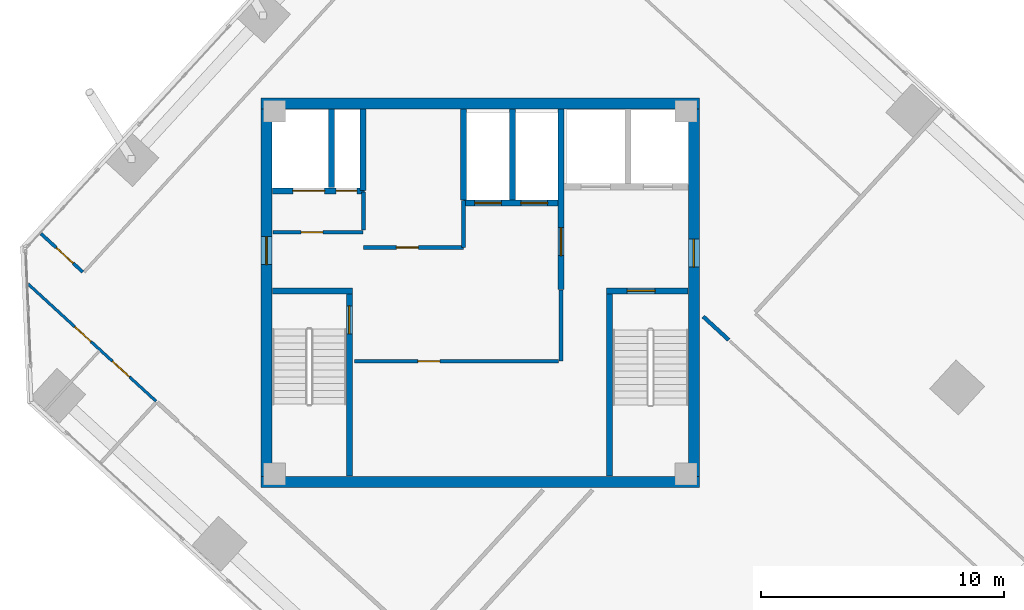
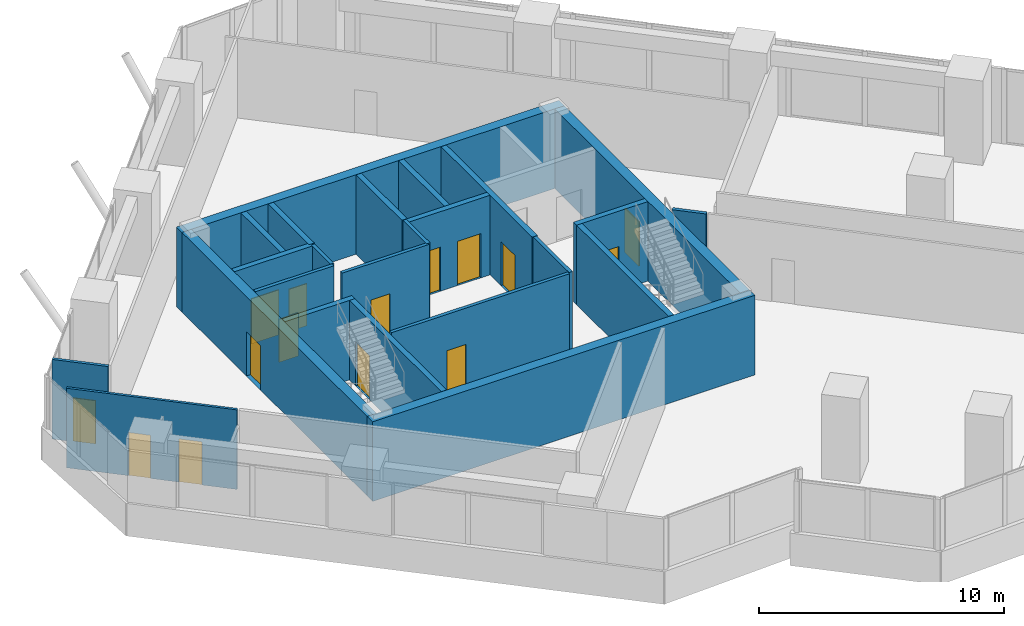
# One storey, part 13 of 18: 24 walls, 15 doors, 15 openings.
"""IFC4 building model written with IfcOpenShell, lengths in metres."""

from ifc_helpers import new_model, si_unit, direction, frame, frame_2d, origin, place, context, subcontext, project, spatial, rectangle, extrude, source, transform, mapped, material, layer, layer_set, type_object, element, fill, save


model = new_model("IFC4")

# Units and contexts
model_context = context("Model", 3, precision=1e-05, world=origin(), true_north=direction((0.0, 1.0)))
body_context = subcontext(model_context, "Body", "Model", "MODEL_VIEW")
ifc_project = project(units=[si_unit("LENGTHUNIT", "METRE"), si_unit("AREAUNIT", "SQUARE_METRE"), si_unit("VOLUMEUNIT", "CUBIC_METRE"), si_unit("PLANEANGLEUNIT", "RADIAN"), si_unit("MASSUNIT", "GRAM", prefix="KILO")], contexts=[model_context])

# Site, building, storey
site_placement = place(None, origin())
site = spatial("IfcSite", under=ifc_project, at=site_placement, CompositionType="ELEMENT")
building_placement = place(site_placement, origin())
building = spatial("IfcBuilding", under=site, at=building_placement, Name="Torre Montelarca", CompositionType="ELEMENT")
storey_placement = place(building_placement, frame((0.0, 0.0, 237.39990234375)))
storey = spatial("IfcBuildingStorey", under=building, at=storey_placement, Name="L53", CompositionType="ELEMENT", Elevation=237.39990234375)

# Wall, opening, door
ifc_material_1 = material(Name="Concrete C40/50", Category="concrete")
ifc_layer_1 = layer(ifc_material_1, 0.25, Name="Concrete C40/50", Category="concrete")
ifc_layer_set_1 = layer_set([ifc_layer_1], Name="Concrete C40/50")
wall_type_1 = type_object("IfcWallType", Name="CW-SHAFT-250", PredefinedType="SHEAR", material=ifc_layer_set_1)
wall_1_placement = place(storey_placement, frame((12.625, 24.4599609375, 0.0), z_axis=(0.0, 0.0, 1.0), x_axis=(0.0, 1.0, 0.0)))
wall_1 = element("IfcWall", 1, at=wall_1_placement, inside=storey, type_object=wall_type_1, Name="L53 Core Shear Wall SH-ST1-E", PredefinedType="SHEAR", context=body_context, shape_type="SweptSolid", body=[
    extrude(rectangle(XDim=7.489990234375, YDim=0.25, at=frame_2d((3.7451171875, 0.0))), origin(), (0.0, 0.0, 1.0), 3.960205078125),
])
opening_1_placement = place(wall_1_placement, frame((5.85009765625, 0.0, 0.0)))
opening_1 = element("IfcOpeningElement", 2, at=opening_1_placement, cuts=wall_1, Name="Opening FD-ST1", PredefinedType="OPENING", context=body_context, shape_type="SweptSolid", body=[
    extrude(rectangle(XDim=1.14990234375, YDim=2.199951171875, at=frame_2d((0.574951171875, 1.10009765625))), frame((0.0, 0.135009765625, 0.0), z_axis=(0.0, -1.0, 0.0), x_axis=(1.0, 0.0, 0.0)), (0.0, 0.0, 1.0), 0.27001953125),
])
ifc_material_2 = material(Name="Galvanized steel fire door", Category="steel")
door_type_1 = type_object("IfcDoorType", Name="DR-STAIR-115", OperationType="NOTDEFINED", PredefinedType="DOOR", material=ifc_material_2)
shared_shape_1 = source(origin(), body_context, "Body", "SweptSolid", [
    extrude(rectangle(XDim=1.14990234375, YDim=2.199951171875, at=frame_2d((0.574951171875, 1.10009765625))), frame((0.0, 0.02490234375, 0.0), z_axis=(0.0, -1.0, 0.0), x_axis=(1.0, 0.0, 0.0)), (0.0, 0.0, 1.0), 0.050048828125),
])
door_1_placement = place(opening_1_placement, origin())
door_1 = element("IfcDoor", 3, at=door_1_placement, inside=storey, type_object=door_type_1, Name="L53 Exit Stair ST1 Fire Door", OperationType="SINGLE_SWING_RIGHT", OverallHeight=2.199951171875, OverallWidth=1.14990234375, PredefinedType="DOOR", context=body_context, shape_type="MappedRepresentation", body=[
    mapped(shared_shape_1, transform((0.0, 0.0, 0.0), scale=1.0)),
])
fill(opening_1, door_1)

# Walls
wall_2_placement = place(storey_placement, frame((9.4599609375, 32.074951171875, 0.0), z_axis=(0.0, 0.0, 1.0), x_axis=(1.0, 0.0, 0.0)))
element("IfcWall", 4, at=wall_2_placement, inside=storey, type_object=wall_type_1, Name="L53 Core Shear Wall SH-ST1-N", PredefinedType="SHEAR", context=body_context, shape_type="SweptSolid", body=[
    extrude(rectangle(XDim=3.2900390625, YDim=0.25, at=frame_2d((1.64501953125, 0.0))), origin(), (0.0, 0.0, 1.0), 3.960205078125),
])
wall_3_placement = place(storey_placement, frame((23.31494140625, 24.4599609375, 0.0), z_axis=(0.0, 0.0, 1.0), x_axis=(0.0, 1.0, 0.0)))
element("IfcWall", 5, at=wall_3_placement, inside=storey, type_object=wall_type_1, Name="L53 Core Shear Wall SH-ST2-W", PredefinedType="SHEAR", context=body_context, shape_type="SweptSolid", body=[
    extrude(rectangle(XDim=7.489990234375, YDim=0.25, at=frame_2d((3.7451171875, 0.0))), origin(), (0.0, 0.0, 1.0), 3.960205078125),
])

# Wall, opening, door
wall_4_placement = place(storey_placement, frame((23.18994140625, 32.074951171875, 0.0), z_axis=(0.0, 0.0, 1.0), x_axis=(1.0, 0.0, 0.0)))
wall_4 = element("IfcWall", 6, at=wall_4_placement, inside=storey, type_object=wall_type_1, Name="L53 Core Shear Wall SH-ST2-N", PredefinedType="SHEAR", context=body_context, shape_type="SweptSolid", body=[
    extrude(rectangle(XDim=3.35009765625, YDim=0.25, at=frame_2d((1.675048828125, 0.0))), origin(), (0.0, 0.0, 1.0), 3.960205078125),
])
opening_2_placement = place(wall_4_placement, frame((0.85009765625, 0.0, 0.0)))
opening_2 = element("IfcOpeningElement", 7, at=opening_2_placement, cuts=wall_4, Name="Opening FD-ST1", PredefinedType="OPENING", context=body_context, shape_type="SweptSolid", body=[
    extrude(rectangle(XDim=1.14990234375, YDim=2.199951171875, at=frame_2d((0.574951171875, 1.10009765625))), frame((0.0, 0.135009765625, 0.0), z_axis=(0.0, -1.0, 0.0), x_axis=(1.0, 0.0, 0.0)), (0.0, 0.0, 1.0), 0.27001953125),
])
door_2_placement = place(opening_2_placement, origin())
door_2 = element("IfcDoor", 8, at=door_2_placement, inside=storey, type_object=door_type_1, Name="L53 Exit Stair ST2 Fire Door", OperationType="SINGLE_SWING_RIGHT", OverallHeight=2.199951171875, OverallWidth=1.14990234375, PredefinedType="DOOR", context=body_context, shape_type="MappedRepresentation", body=[
    mapped(shared_shape_1, transform((0.0, 0.0, 0.0), scale=1.0)),
])
fill(opening_2, door_2)

wall_5_placement = place(storey_placement, frame((21.320068359375, 32.1201171875, 0.0), z_axis=(0.0, 0.0, 1.0), x_axis=(0.0, 1.0, 0.0)))
wall_5 = element("IfcWall", 9, at=wall_5_placement, inside=storey, type_object=wall_type_1, Name="L53 Core Shear Wall SH-FFL-W", PredefinedType="SHEAR", context=body_context, shape_type="SweptSolid", body=[
    extrude(rectangle(XDim=7.419921875, YDim=0.25, at=frame_2d((3.7099609375, 0.0))), origin(), (0.0, 0.0, 1.0), 3.960205078125),
])
opening_3_placement = place(wall_5_placement, frame((1.39990234375, 0.0, 0.0)))
opening_3 = element("IfcOpeningElement", 10, at=opening_3_placement, cuts=wall_5, Name="Opening FD-LB1", PredefinedType="OPENING", context=body_context, shape_type="SweptSolid", body=[
    extrude(rectangle(XDim=1.14990234375, YDim=2.199951171875, at=frame_2d((0.574951171875, 1.10009765625))), frame((0.0, 0.135009765625, 0.0), z_axis=(0.0, -1.0, 0.0), x_axis=(1.0, 0.0, 0.0)), (0.0, 0.0, 1.0), 0.27001953125),
])
ifc_material_3 = material(Name="Acoustic timber-veneered fire door", Category="wood")
door_type_2 = type_object("IfcDoorType", Name="DR-LOBBY-115", OperationType="NOTDEFINED", PredefinedType="DOOR", material=ifc_material_3)
shared_shape_2 = source(origin(), body_context, "Body", "SweptSolid", [
    extrude(rectangle(XDim=1.14990234375, YDim=2.199951171875, at=frame_2d((0.574951171875, 1.10009765625))), frame((0.0, 0.02490234375, 0.0), z_axis=(0.0, -1.0, 0.0), x_axis=(1.0, 0.0, 0.0)), (0.0, 0.0, 1.0), 0.050048828125),
])
door_3_placement = place(opening_3_placement, origin())
door_3 = element("IfcDoor", 11, at=door_3_placement, inside=storey, type_object=door_type_2, Name="L53 Lift Lobby to Firefighting Lobby Smoke Door", OperationType="SINGLE_SWING_LEFT", OverallHeight=2.199951171875, OverallWidth=1.14990234375, PredefinedType="DOOR", context=body_context, shape_type="MappedRepresentation", body=[
    mapped(shared_shape_2, transform((0.0, 0.0, 0.0), scale=1.0)),
])
fill(opening_3, door_3)

# Wall, openings, doors
wall_6_placement = place(storey_placement, frame((9.4599609375, 36.179931640625, 0.0), z_axis=(0.0, 0.0, 1.0), x_axis=(1.0, 0.0, 0.0)))
wall_6 = element("IfcWall", 12, at=wall_6_placement, inside=storey, type_object=wall_type_1, Name="L53 Core Shear Wall SH-SV1-S", PredefinedType="SHEAR", context=body_context, shape_type="SweptSolid", body=[
    extrude(rectangle(XDim=3.7900390625, YDim=0.25, at=frame_2d((1.89501953125, 0.0))), origin(), (0.0, 0.0, 1.0), 3.960205078125),
])
opening_4_placement = place(wall_6_placement, frame((2.6201171875, 0.0, 0.0)))
opening_4 = element("IfcOpeningElement", 13, at=opening_4_placement, cuts=wall_6, Name="Opening FD-085", PredefinedType="OPENING", context=body_context, shape_type="SweptSolid", body=[
    extrude(rectangle(XDim=0.85009765625, YDim=2.10009765625, at=frame_2d((0.425048828125, 1.050048828125))), frame((0.0, 0.135009765625, 0.0), z_axis=(0.0, -1.0, 0.0), x_axis=(1.0, 0.0, 0.0)), (0.0, 0.0, 1.0), 0.27001953125),
])
opening_5_placement = place(wall_6_placement, frame((0.85009765625, 0.0, 0.0)))
opening_5 = element("IfcOpeningElement", 14, at=opening_5_placement, cuts=wall_6, Name="Opening LD-130", PredefinedType="OPENING", context=body_context, shape_type="SweptSolid", body=[
    extrude(rectangle(XDim=1.300048828125, YDim=2.25, at=frame_2d((0.64990234375, 1.125))), frame((0.0, 0.135009765625, 0.0), z_axis=(0.0, -1.0, 0.0), x_axis=(1.0, 0.0, 0.0)), (0.0, 0.0, 1.0), 0.27001953125),
])
ifc_material_4 = material(Name="Steel riser access fire door", Category="steel")
door_type_3 = type_object("IfcDoorType", Name="DR-RISER-085", OperationType="NOTDEFINED", PredefinedType="DOOR", material=ifc_material_4)
shared_shape_3 = source(origin(), body_context, "Body", "SweptSolid", [
    extrude(rectangle(XDim=0.85009765625, YDim=2.10009765625, at=frame_2d((0.425048828125, 1.050048828125))), frame((0.0, 0.02490234375, 0.0), z_axis=(0.0, -1.0, 0.0), x_axis=(1.0, 0.0, 0.0)), (0.0, 0.0, 1.0), 0.050048828125),
])
door_4_placement = place(opening_4_placement, origin())
door_4 = element("IfcDoor", 15, at=door_4_placement, inside=storey, type_object=door_type_3, Name="L53 Electrical Riser Shaft Access Door", OperationType="SINGLE_SWING_RIGHT", OverallHeight=2.10009765625, OverallWidth=0.85009765625, PredefinedType="DOOR", context=body_context, shape_type="MappedRepresentation", body=[
    mapped(shared_shape_3, transform((0.0, 0.0, 0.0), scale=1.0)),
])
fill(opening_4, door_4)
ifc_material_5 = material(Name="Brushed stainless steel AISI 316", Category="steel")
door_type_4 = type_object("IfcDoorType", Name="DR-LIFT-130", OperationType="SLIDING_TO_LEFT", PredefinedType="DOOR", material=ifc_material_5)
shared_shape_4 = source(origin(), body_context, "Body", "SweptSolid", [
    extrude(rectangle(XDim=1.300048828125, YDim=2.25, at=frame_2d((0.64990234375, 1.125))), frame((0.0, 0.02490234375, 0.0), z_axis=(0.0, -1.0, 0.0), x_axis=(1.0, 0.0, 0.0)), (0.0, 0.0, 1.0), 0.050048828125),
])
door_5_placement = place(opening_5_placement, origin())
door_5 = element("IfcDoor", 16, at=door_5_placement, inside=storey, type_object=door_type_4, Name="L53 Lift Landing Sliding Door SV-1", OperationType="SLIDING_TO_LEFT", OverallHeight=2.25, OverallWidth=1.300048828125, PredefinedType="DOOR", context=body_context, shape_type="MappedRepresentation", body=[
    mapped(shared_shape_4, transform((0.0, 0.0, 0.0), scale=1.0)),
])
fill(opening_5, door_5)

# Walls
wall_7_placement = place(storey_placement, frame((11.89990234375, 36.31005859375, 0.0), z_axis=(0.0, 0.0, 1.0), x_axis=(0.0, 1.0, 0.0)))
element("IfcWall", 17, at=wall_7_placement, inside=storey, type_object=wall_type_1, Name="L53 Core Shear Wall SH-SV1-E", PredefinedType="SHEAR", context=body_context, shape_type="SweptSolid", body=[
    extrude(rectangle(XDim=3.22998046875, YDim=0.25, at=frame_2d((1.614990234375, 0.0))), origin(), (0.0, 0.0, 1.0), 3.960205078125),
])
wall_8_placement = place(storey_placement, frame((13.179931640625, 36.199951171875, 0.0), z_axis=(0.0, 0.0, 1.0), x_axis=(0.0, 1.0, 0.0)))
element("IfcWall", 18, at=wall_8_placement, inside=storey, type_object=wall_type_1, Name="L53 Core Shear Wall SH-RSR1-E", PredefinedType="SHEAR", context=body_context, shape_type="SweptSolid", body=[
    extrude(rectangle(XDim=3.340087890625, YDim=0.25, at=frame_2d((1.669921875, 0.0))), origin(), (0.0, 0.0, 1.0), 3.960205078125),
])

# Wall, openings, doors
wall_9_placement = place(storey_placement, frame((17.320068359375, 35.679931640625, 0.0), z_axis=(0.0, 0.0, 1.0), x_axis=(1.0, 0.0, 0.0)))
wall_9 = element("IfcWall", 19, at=wall_9_placement, inside=storey, type_object=wall_type_1, Name="L53 Core Shear Wall SH-PLH-S", PredefinedType="SHEAR", context=body_context, shape_type="SweptSolid", body=[
    extrude(rectangle(XDim=3.869873046875, YDim=0.25, at=frame_2d((1.93505859375, 0.0))), origin(), (0.0, 0.0, 1.0), 3.960205078125),
])
opening_6_placement = place(wall_9_placement, frame((0.449951171875, 0.0, 0.0)))
opening_6 = element("IfcOpeningElement", 20, at=opening_6_placement, cuts=wall_9, Name="Opening LD-110", PredefinedType="OPENING", context=body_context, shape_type="SweptSolid", body=[
    extrude(rectangle(XDim=1.10009765625, YDim=2.199951171875, at=frame_2d((0.550048828125, 1.10009765625))), frame((0.0, 0.135009765625, 0.0), z_axis=(0.0, -1.0, 0.0), x_axis=(1.0, 0.0, 0.0)), (0.0, 0.0, 1.0), 0.27001953125),
])
opening_7_placement = place(wall_9_placement, frame((2.35009765625, 0.0, 0.0)))
opening_7 = element("IfcOpeningElement", 21, at=opening_7_placement, cuts=wall_9, Name="Opening LD-110", PredefinedType="OPENING", context=body_context, shape_type="SweptSolid", body=[
    extrude(rectangle(XDim=1.10009765625, YDim=2.199951171875, at=frame_2d((0.550048828125, 1.10009765625))), frame((0.0, 0.135009765625, 0.0), z_axis=(0.0, -1.0, 0.0), x_axis=(1.0, 0.0, 0.0)), (0.0, 0.0, 1.0), 0.27001953125),
])
door_type_5 = type_object("IfcDoorType", Name="DR-LIFT-110", OperationType="SLIDING_TO_LEFT", PredefinedType="DOOR", material=ifc_material_5)
shared_shape_5 = source(origin(), body_context, "Body", "SweptSolid", [
    extrude(rectangle(XDim=1.10009765625, YDim=2.199951171875, at=frame_2d((0.550048828125, 1.10009765625))), frame((0.0, 0.02490234375, 0.0), z_axis=(0.0, -1.0, 0.0), x_axis=(1.0, 0.0, 0.0)), (0.0, 0.0, 1.0), 0.050048828125),
])
door_6_placement = place(opening_6_placement, origin())
door_6 = element("IfcDoor", 22, at=door_6_placement, inside=storey, type_object=door_type_5, Name="L53 Lift Landing Sliding Door PL-H1", OperationType="SLIDING_TO_LEFT", OverallHeight=2.199951171875, OverallWidth=1.10009765625, PredefinedType="DOOR", context=body_context, shape_type="MappedRepresentation", body=[
    mapped(shared_shape_5, transform((0.0, 0.0, 0.0), scale=1.0)),
])
fill(opening_6, door_6)
door_7_placement = place(opening_7_placement, origin())
door_7 = element("IfcDoor", 23, at=door_7_placement, inside=storey, type_object=door_type_5, Name="L53 Lift Landing Sliding Door PL-H2", OperationType="SLIDING_TO_RIGHT", OverallHeight=2.199951171875, OverallWidth=1.10009765625, PredefinedType="DOOR", context=body_context, shape_type="MappedRepresentation", body=[
    mapped(shared_shape_5, transform((0.0, 0.0, 0.0), scale=1.0)),
])
fill(opening_7, door_7)

# Walls
for number, where, z_axis, x_axis, name in (
    (24, (17.320068359375, 35.81005859375, 0.0), (0.0, 0.0, 1.0), (0.0, 1.0, 0.0), "L53 Core Shear Wall SH-PLH-W"),
    (25, (19.320068359375, 35.81005859375, 0.0), (0.0, 0.0, 1.0), (0.0, 1.0, 0.0), "L53 Core Shear Wall SH-PLH-M"),
):
    element("IfcWall", number, at=place(storey_placement, frame(where, z_axis=z_axis, x_axis=x_axis)), inside=storey, type_object=wall_type_1, Name=name, PredefinedType="SHEAR", context=body_context, shape_type="SweptSolid", body=[
        extrude(rectangle(XDim=3.72998046875, YDim=0.25, at=frame_2d((1.864990234375, 0.0))), origin(), (0.0, 0.0, 1.0), 3.960205078125),
    ])

# Wall, opening, door
ifc_material_6 = material(Name="Concrete C55/67", Category="concrete")
ifc_layer_2 = layer(ifc_material_6, 0.449951171875, Name="Concrete C55/67", Category="concrete")
ifc_layer_set_2 = layer_set([ifc_layer_2], Name="Concrete C55/67")
wall_type_2 = type_object("IfcWallType", Name="CW-SHEAR-450", PredefinedType="SHEAR", material=ifc_layer_set_2)
wall_10_placement = place(storey_placement, frame((9.22509765625, 24.449951171875, 0.0), z_axis=(0.0, 0.0, 1.0), x_axis=(0.0, 1.0, 0.0)))
wall_10 = element("IfcWall", 26, at=wall_10_placement, inside=storey, type_object=wall_type_2, Name="L53 Core Shear Wall CW-W", PredefinedType="SHEAR", context=body_context, shape_type="SweptSolid", body=[
    extrude(rectangle(XDim=15.10009765625, YDim=0.449951171875, at=frame_2d((7.550048828125, 0.0))), origin(), (0.0, 0.0, 1.0), 3.960205078125),
])
opening_8_placement = place(wall_10_placement, frame((8.699951171875, 0.0, 0.0)))
opening_8 = element("IfcOpeningElement", 27, at=opening_8_placement, cuts=wall_10, Name="Opening FD-LB1", PredefinedType="OPENING", context=body_context, shape_type="SweptSolid", body=[
    extrude(rectangle(XDim=1.14990234375, YDim=2.199951171875, at=frame_2d((0.574951171875, 1.10009765625))), frame((0.0, 0.23486328125, 0.0), z_axis=(0.0, -1.0, 0.0), x_axis=(1.0, 0.0, 0.0)), (0.0, 0.0, 1.0), 0.469970703125),
])
door_8_placement = place(opening_8_placement, origin())
door_8 = element("IfcDoor", 28, at=door_8_placement, inside=storey, type_object=door_type_2, Name="L53 Passenger Lift Lobby West Corridor Fire Door", OperationType="SINGLE_SWING_RIGHT", OverallHeight=2.199951171875, OverallWidth=1.14990234375, PredefinedType="DOOR", context=body_context, shape_type="MappedRepresentation", body=[
    mapped(shared_shape_2, transform((0.0, 0.0, 0.0), scale=1.0)),
])
fill(opening_8, door_8)

wall_11_placement = place(storey_placement, frame((26.77490234375, 24.449951171875, 0.0), z_axis=(0.0, 0.0, 1.0), x_axis=(0.0, 1.0, 0.0)))
wall_11 = element("IfcWall", 29, at=wall_11_placement, inside=storey, type_object=wall_type_2, Name="L53 Core Shear Wall CW-E", PredefinedType="SHEAR", context=body_context, shape_type="SweptSolid", body=[
    extrude(rectangle(XDim=15.10009765625, YDim=0.449951171875, at=frame_2d((7.550048828125, 0.0))), origin(), (0.0, 0.0, 1.0), 3.960205078125),
])
opening_9_placement = place(wall_11_placement, frame((8.60009765625, 0.0, 0.0)))
opening_9 = element("IfcOpeningElement", 30, at=opening_9_placement, cuts=wall_11, Name="Opening FD-LB1", PredefinedType="OPENING", context=body_context, shape_type="SweptSolid", body=[
    extrude(rectangle(XDim=1.14990234375, YDim=2.199951171875, at=frame_2d((0.574951171875, 1.10009765625))), frame((0.0, 0.23486328125, 0.0), z_axis=(0.0, -1.0, 0.0), x_axis=(1.0, 0.0, 0.0)), (0.0, 0.0, 1.0), 0.469970703125),
])
door_9_placement = place(opening_9_placement, origin())
door_9 = element("IfcDoor", 31, at=door_9_placement, inside=storey, type_object=door_type_2, Name="L53 Firefighting Lift Lobby Corridor Fire Door", OperationType="SINGLE_SWING_RIGHT", OverallHeight=2.199951171875, OverallWidth=1.14990234375, PredefinedType="DOOR", context=body_context, shape_type="MappedRepresentation", body=[
    mapped(shared_shape_2, transform((0.0, 0.0, 0.0), scale=1.0)),
])
fill(opening_9, door_9)

# Walls
for number, where, z_axis, x_axis, name in (
    (32, (9.0, 24.22509765625, 0.0), (0.0, 0.0, 1.0), (1.0, 0.0, 0.0), "L53 Core Shear Wall CW-S1"),
    (33, (9.0, 39.77490234375, 0.0), (0.0, 0.0, 1.0), (1.0, 0.0, 0.0), "L53 Core Shear Wall CW-N1"),
):
    element("IfcWall", number, at=place(storey_placement, frame(where, z_axis=z_axis, x_axis=x_axis)), inside=storey, type_object=wall_type_2, Name=name, PredefinedType="SHEAR", context=body_context, shape_type="SweptSolid", body=[
        extrude(rectangle(XDim=18.0, YDim=0.449951171875, at=frame_2d((9.0, 0.0))), origin(), (0.0, 0.0, 1.0), 3.960205078125),
    ])

# Wall, opening, door
ifc_material_7 = material(Name="Gypsum plasterboard on steel stud", Category="steel")
ifc_layer_3 = layer(ifc_material_7, 0.159912109375, Name="Gypsum plasterboard on steel stud", Category="steel")
ifc_layer_set_3 = layer_set([ifc_layer_3], Name="Gypsum plasterboard on steel stud")
wall_type_3 = type_object("IfcWallType", Name="PW-FIRE-160", PredefinedType="PARTITIONING", material=ifc_layer_set_3)
wall_12_placement = place(storey_placement, frame((9.489990234375, 34.47998046875, 0.0), z_axis=(0.0, 0.0, 1.0), x_axis=(1.0, 0.0, 0.0)))
wall_12 = element("IfcWall", 34, at=wall_12_placement, inside=storey, type_object=wall_type_3, Name="L53 Interior Partition CW-L53-SVS", PredefinedType="PARTITIONING", context=body_context, shape_type="SweptSolid", body=[
    extrude(rectangle(XDim=3.699951171875, YDim=0.159912109375, at=frame_2d((1.85009765625, 0.0))), origin(), (0.0, 0.0, 1.0), 3.960205078125),
])
opening_10_placement = place(wall_12_placement, frame((1.14990234375, 0.0, 0.0)))
opening_10 = element("IfcOpeningElement", 35, at=opening_10_placement, cuts=wall_12, Name="Opening FD-090", PredefinedType="OPENING", context=body_context, shape_type="SweptSolid", body=[
    extrude(rectangle(XDim=0.89990234375, YDim=2.14990234375, at=frame_2d((0.449951171875, 1.074951171875))), frame((0.0, 0.08984375, 0.0), z_axis=(0.0, -1.0, 0.0), x_axis=(1.0, 0.0, 0.0)), (0.0, 0.0, 1.0), 0.179931640625),
])
ifc_material_8 = material(Name="Steel service fire door", Category="steel")
door_type_6 = type_object("IfcDoorType", Name="DR-FIRE-090", OperationType="NOTDEFINED", PredefinedType="DOOR", material=ifc_material_8)
shared_shape_6 = source(origin(), body_context, "Body", "SweptSolid", [
    extrude(rectangle(XDim=0.89990234375, YDim=2.14990234375, at=frame_2d((0.449951171875, 1.074951171875))), frame((0.0, 0.02490234375, 0.0), z_axis=(0.0, -1.0, 0.0), x_axis=(1.0, 0.0, 0.0)), (0.0, 0.0, 1.0), 0.050048828125),
])
door_10_placement = place(opening_10_placement, origin())
door_10 = element("IfcDoor", 36, at=door_10_placement, inside=storey, type_object=door_type_6, Name="L53 Interior Door 01", OperationType="SINGLE_SWING_RIGHT", OverallHeight=2.14990234375, OverallWidth=0.89990234375, PredefinedType="DOOR", context=body_context, shape_type="MappedRepresentation", body=[
    mapped(shared_shape_6, transform((0.0, 0.0, 0.0), scale=1.0)),
])
fill(opening_10, door_10)

# Wall
wall_13_placement = place(storey_placement, frame((13.199951171875, 34.570068359375, 0.0), z_axis=(0.0, 0.0, 1.0), x_axis=(0.0, 1.0, 0.0)))
element("IfcWall", 37, at=wall_13_placement, inside=storey, type_object=wall_type_3, Name="L53 Interior Partition CW-L53-SVE", PredefinedType="PARTITIONING", context=body_context, shape_type="SweptSolid", body=[
    extrude(rectangle(XDim=1.56982421875, YDim=0.159912109375, at=frame_2d((0.784912109375, 0.0))), origin(), (0.0, 0.0, 1.0), 3.960205078125),
])

# Wall, opening, door
wall_14_placement = place(storey_placement, frame((13.2099609375, 33.85009765625, 0.0), z_axis=(0.0, 0.0, 1.0), x_axis=(1.0, 0.0, 0.0)))
wall_14 = element("IfcWall", 38, at=wall_14_placement, inside=storey, type_object=wall_type_3, Name="L53 Interior Partition CW-L53-FRMS", PredefinedType="PARTITIONING", context=body_context, shape_type="SweptSolid", body=[
    extrude(rectangle(XDim=4.10009765625, YDim=0.159912109375, at=frame_2d((2.050048828125, 0.0))), origin(), (0.0, 0.0, 1.0), 3.960205078125),
])
opening_11_placement = place(wall_14_placement, frame((1.35009765625, 0.0, 0.0)))
opening_11 = element("IfcOpeningElement", 39, at=opening_11_placement, cuts=wall_14, Name="Opening FD-090", PredefinedType="OPENING", context=body_context, shape_type="SweptSolid", body=[
    extrude(rectangle(XDim=0.89990234375, YDim=2.14990234375, at=frame_2d((0.449951171875, 1.074951171875))), frame((0.0, 0.08984375, 0.0), z_axis=(0.0, -1.0, 0.0), x_axis=(1.0, 0.0, 0.0)), (0.0, 0.0, 1.0), 0.179931640625),
])
door_11_placement = place(opening_11_placement, origin())
door_11 = element("IfcDoor", 40, at=door_11_placement, inside=storey, type_object=door_type_6, Name="L53 Interior Door 02", OperationType="SINGLE_SWING_LEFT", OverallHeight=2.14990234375, OverallWidth=0.89990234375, PredefinedType="DOOR", context=body_context, shape_type="MappedRepresentation", body=[
    mapped(shared_shape_6, transform((0.0, 0.0, 0.0), scale=1.0)),
])
fill(opening_11, door_11)

# Wall
wall_15_placement = place(storey_placement, frame((17.320068359375, 33.860107421875, 0.0), z_axis=(0.0, 0.0, 1.0), x_axis=(0.0, 1.0, 0.0)))
element("IfcWall", 41, at=wall_15_placement, inside=storey, type_object=wall_type_3, Name="L53 Interior Partition CW-L53-FRME", PredefinedType="PARTITIONING", context=body_context, shape_type="SweptSolid", body=[
    extrude(rectangle(XDim=1.929931640625, YDim=0.159912109375, at=frame_2d((0.96484375, 0.0))), origin(), (0.0, 0.0, 1.0), 3.960205078125),
])

# Wall, opening, door
wall_16_placement = place(storey_placement, frame((12.840087890625, 29.179931640625, 0.0), z_axis=(0.0, 0.0, 1.0), x_axis=(1.0, 0.0, 0.0)))
wall_16 = element("IfcWall", 42, at=wall_16_placement, inside=storey, type_object=wall_type_3, Name="L53 Interior Partition CW-L53-FRDN", PredefinedType="PARTITIONING", context=body_context, shape_type="SweptSolid", body=[
    extrude(rectangle(XDim=8.369873046875, YDim=0.159912109375, at=frame_2d((4.18505859375, 0.0))), origin(), (0.0, 0.0, 1.0), 3.960205078125),
])
opening_12_placement = place(wall_16_placement, frame((2.60009765625, 0.0, 0.0)))
opening_12 = element("IfcOpeningElement", 43, at=opening_12_placement, cuts=wall_16, Name="Opening FD-090", PredefinedType="OPENING", context=body_context, shape_type="SweptSolid", body=[
    extrude(rectangle(XDim=0.89990234375, YDim=2.14990234375, at=frame_2d((0.449951171875, 1.074951171875))), frame((0.0, 0.08984375, 0.0), z_axis=(0.0, -1.0, 0.0), x_axis=(1.0, 0.0, 0.0)), (0.0, 0.0, 1.0), 0.179931640625),
])
door_12_placement = place(opening_12_placement, origin())
door_12 = element("IfcDoor", 44, at=door_12_placement, inside=storey, type_object=door_type_6, Name="L53 Interior Door 03", OperationType="SINGLE_SWING_LEFT", OverallHeight=2.14990234375, OverallWidth=0.89990234375, PredefinedType="DOOR", context=body_context, shape_type="MappedRepresentation", body=[
    mapped(shared_shape_6, transform((0.0, 0.0, 0.0), scale=1.0)),
])
fill(opening_12, door_12)

# Walls
wall_17_placement = place(storey_placement, frame((21.320068359375, 29.18994140625, 0.0), z_axis=(0.0, 0.0, 1.0), x_axis=(0.0, 1.0, 0.0)))
element("IfcWall", 45, at=wall_17_placement, inside=storey, type_object=wall_type_3, Name="L53 Interior Partition CW-L53-FRE", PredefinedType="PARTITIONING", context=body_context, shape_type="SweptSolid", body=[
    extrude(rectangle(XDim=2.920166015625, YDim=0.159912109375, at=frame_2d((1.4599609375, 0.0))), origin(), (0.0, 0.0, 1.0), 3.960205078125),
])
wall_18_placement = place(storey_placement, frame((27.162841796875, 31.015625, 0.0), z_axis=(0.0, 0.0, 1.0), x_axis=(0.737296869908, -0.675568890361, 0.0)))
element("IfcWall", 46, at=wall_18_placement, inside=storey, type_object=wall_type_3, Name="L53 Interior Partition W-L53-SOCCN3", PredefinedType="PARTITIONING", context=body_context, shape_type="SweptSolid", body=[
    extrude(rectangle(XDim=1.419921875, YDim=0.159912109375, at=frame_2d((0.7099609375, 0.0))), origin(), (0.0, 0.0, 1.0), 3.960205078125),
])

# Wall, openings, doors
ifc_layer_4 = layer(ifc_material_7, 0.114990234375, Name="Gypsum plasterboard on steel stud", Category="steel")
ifc_layer_set_4 = layer_set([ifc_layer_4], Name="Gypsum plasterboard on steel stud")
wall_type_4 = type_object("IfcWallType", Name="PW-PART-115", PredefinedType="PARTITIONING", material=ifc_layer_set_4)
wall_19_placement = place(storey_placement, frame((-0.5712890625, 32.354248046875, 0.0), z_axis=(0.0, 0.0, 1.0), x_axis=(0.737285035525, -0.675581805846, 0.0)))
wall_19 = element("IfcWall", 47, at=wall_19_placement, inside=storey, type_object=wall_type_4, Name="L53 Interior Partition W-L53-WCN", PredefinedType="PARTITIONING", context=body_context, shape_type="SweptSolid", body=[
    extrude(rectangle(XDim=7.1220703125, YDim=0.114990234375, at=frame_2d((3.56103515625, 0.0))), origin(), (0.0, 0.0, 1.0), 3.960205078125),
])
opening_13_placement = place(wall_19_placement, frame((2.60009765625, 0.0, 0.0)))
opening_13 = element("IfcOpeningElement", 48, at=opening_13_placement, cuts=wall_19, Name="Opening ID-090", PredefinedType="OPENING", context=body_context, shape_type="SweptSolid", body=[
    extrude(rectangle(XDim=0.89990234375, YDim=2.14990234375, at=frame_2d((0.449951171875, 1.074951171875))), frame((0.0, 0.0673828125, 0.0), z_axis=(0.0, -1.0, 0.0), x_axis=(1.0, 0.0, 0.0)), (0.0, 0.0, 1.0), 0.135009765625),
])
opening_14_placement = place(wall_19_placement, frame((4.699951171875, 0.0, 0.0)))
opening_14 = element("IfcOpeningElement", 49, at=opening_14_placement, cuts=wall_19, Name="Opening ID-095", PredefinedType="OPENING", context=body_context, shape_type="SweptSolid", body=[
    extrude(rectangle(XDim=0.949951171875, YDim=2.14990234375, at=frame_2d((0.47509765625, 1.074951171875))), frame((0.0, 0.0673828125, 0.0), z_axis=(0.0, -1.0, 0.0), x_axis=(1.0, 0.0, 0.0)), (0.0, 0.0, 1.0), 0.135009765625),
])
ifc_material_9 = material(Name="Hardwood acoustic timber veneer", Category="wood")
door_type_7 = type_object("IfcDoorType", Name="DR-INT-090", OperationType="NOTDEFINED", PredefinedType="DOOR", material=ifc_material_9)
shared_shape_7 = source(origin(), body_context, "Body", "SweptSolid", [
    extrude(rectangle(XDim=0.89990234375, YDim=2.14990234375, at=frame_2d((0.449951171875, 1.074951171875))), frame((0.0, 0.02490234375, 0.0), z_axis=(0.0, -1.0, 0.0), x_axis=(1.0, 0.0, 0.0)), (0.0, 0.0, 1.0), 0.050048828125),
])
door_13_placement = place(opening_13_placement, origin())
door_13 = element("IfcDoor", 50, at=door_13_placement, inside=storey, type_object=door_type_7, Name="L53 Interior Door 04", OperationType="SINGLE_SWING_LEFT", OverallHeight=2.14990234375, OverallWidth=0.89990234375, PredefinedType="DOOR", context=body_context, shape_type="MappedRepresentation", body=[
    mapped(shared_shape_7, transform((0.0, 0.0, 0.0), scale=1.0)),
])
fill(opening_13, door_13)
door_type_8 = type_object("IfcDoorType", Name="DR-INT-095", OperationType="NOTDEFINED", PredefinedType="DOOR", material=ifc_material_9)
shared_shape_8 = source(origin(), body_context, "Body", "SweptSolid", [
    extrude(rectangle(XDim=0.949951171875, YDim=2.14990234375, at=frame_2d((0.47509765625, 1.074951171875))), frame((0.0, 0.02490234375, 0.0), z_axis=(0.0, -1.0, 0.0), x_axis=(1.0, 0.0, 0.0)), (0.0, 0.0, 1.0), 0.050048828125),
])
door_14_placement = place(opening_14_placement, origin())
door_14 = element("IfcDoor", 51, at=door_14_placement, inside=storey, type_object=door_type_8, Name="L53 Interior Door 05", OperationType="SINGLE_SWING_RIGHT", OverallHeight=2.14990234375, OverallWidth=0.949951171875, PredefinedType="DOOR", context=body_context, shape_type="MappedRepresentation", body=[
    mapped(shared_shape_8, transform((0.0, 0.0, 0.0), scale=1.0)),
])
fill(opening_14, door_14)

# Wall, opening, door
ifc_layer_5 = layer(ifc_material_7, 0.135009765625, Name="Gypsum plasterboard on steel stud", Category="steel")
ifc_layer_set_5 = layer_set([ifc_layer_5], Name="Gypsum plasterboard on steel stud")
wall_type_5 = type_object("IfcWallType", Name="PW-PART-135", PredefinedType="PARTITIONING", material=ifc_layer_set_5)
wall_20_placement = place(storey_placement, frame((-0.04443359375, 34.42138671875, 0.0), z_axis=(0.0, 0.0, 1.0), x_axis=(0.73728894688, -0.675577537229, 0.0)))
wall_20 = element("IfcWall", 52, at=wall_20_placement, inside=storey, type_object=wall_type_5, Name="L53 Interior Partition W-L53-WPKS", PredefinedType="PARTITIONING", context=body_context, shape_type="SweptSolid", body=[
    extrude(rectangle(XDim=2.330078125, YDim=0.135009765625, at=frame_2d((1.1650390625, 0.0))), origin(), (0.0, 0.0, 1.0), 3.960205078125),
])
opening_15_placement = place(wall_20_placement, frame((0.85009765625, 0.0, 0.0)))
opening_15 = element("IfcOpeningElement", 53, at=opening_15_placement, cuts=wall_20, Name="Opening ID-095", PredefinedType="OPENING", context=body_context, shape_type="SweptSolid", body=[
    extrude(rectangle(XDim=0.949951171875, YDim=2.14990234375, at=frame_2d((0.47509765625, 1.074951171875))), frame((0.0, 0.07763671875, 0.0), z_axis=(0.0, -1.0, 0.0), x_axis=(1.0, 0.0, 0.0)), (0.0, 0.0, 1.0), 0.155029296875),
])
door_15_placement = place(opening_15_placement, origin())
door_15 = element("IfcDoor", 54, at=door_15_placement, inside=storey, type_object=door_type_8, Name="L53 Interior Door 08", OperationType="SINGLE_SWING_LEFT", OverallHeight=2.14990234375, OverallWidth=0.949951171875, PredefinedType="DOOR", context=body_context, shape_type="MappedRepresentation", body=[
    mapped(shared_shape_8, transform((0.0, 0.0, 0.0), scale=1.0)),
])
fill(opening_15, door_15)

save(model, "model.ifc")
